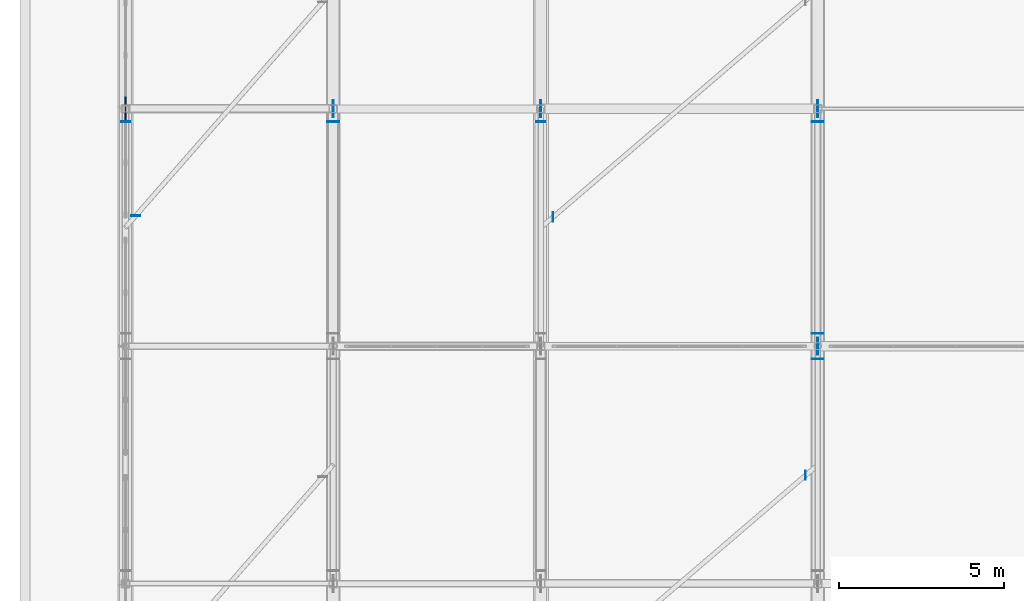
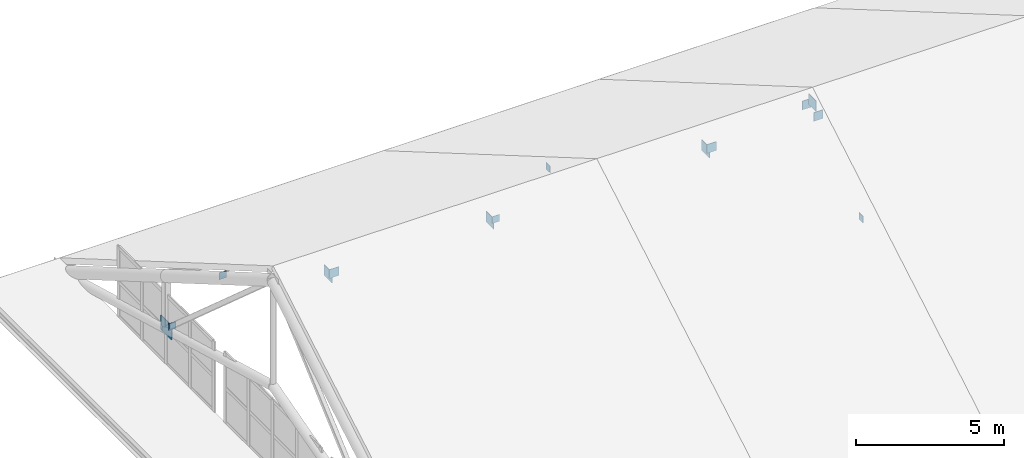
# One storey, part 42 of 54: 14 plates.
"""IFC4 building model written with IfcOpenShell, lengths in metres."""

import ifcopenshell
import ifcopenshell.guid

model = None  # the IFC model being written
_history = None  # IfcOwnerHistory: only IFC2X3 demands one
_inside = {}  # id of a spatial element -> (the spatial element, [elements in it])
_under = {}  # id of a project, library or spatial element -> (it, [spatial elements below it])
_declared = {}  # id of a project -> (the project, [libraries it declares])
_typed = {}  # id of a type object -> (the type object, [elements of that type])
_made_of = {}  # id of a material, layer set ... -> (it, [elements and type objects made of it])


def new_model(schema):
    """Start an empty IFC model of exactly this schema.

    Asked for "IFC4X3", IfcOpenShell would pick the latest addendum, in which some entities
    have other attributes; the version numbers below select the first issue.
    IFC2X3 requires an IfcOwnerHistory on every rooted entity: one is made here for all.
    """
    global model, _history
    if schema == "IFC4X3":
        model = ifcopenshell.file(schema_version=(4, 3, 0, 0))
    else:
        model = ifcopenshell.file(schema=schema)
    _inside.clear()
    _under.clear()
    _declared.clear()
    _typed.clear()
    _made_of.clear()
    _history = None
    if model.schema == "IFC2X3":
        org = make("IfcOrganization", Name="unknown")
        user = make(
            "IfcPersonAndOrganization",
            ThePerson=make("IfcPerson", FamilyName="unknown"),
            TheOrganization=org,
        )
        app = make(
            "IfcApplication",
            ApplicationDeveloper=org,
            Version="unknown",
            ApplicationFullName="unknown",
            ApplicationIdentifier="unknown",
        )
        _history = make(
            "IfcOwnerHistory",
            OwningUser=user,
            OwningApplication=app,
            ChangeAction="ADDED",
            CreationDate=0,
        )
    return model


def make(cls, **values):
    """One entity of the class cls with the attributes given. An attribute that is None is left unset."""
    return model.create_entity(
        cls, **{name: value for name, value in values.items() if value is not None}
    )


def rooted(cls, **values):
    """An entity with a GlobalId (a new one), such as an element, a storey or a relation."""
    return make(cls, GlobalId=ifcopenshell.guid.new(), OwnerHistory=_history, **values)


def si_unit(unit_type, name, prefix=None):
    """IfcSIUnit, for example si_unit("LENGTHUNIT", "METRE", prefix="MILLI")."""
    return make("IfcSIUnit", UnitType=unit_type, Prefix=prefix, Name=name)


def assignment(units):
    """IfcUnitAssignment: the units of a project."""
    return None if units is None else make("IfcUnitAssignment", Units=units)


def point(xyz):
    """IfcCartesianPoint."""
    return None if xyz is None else make("IfcCartesianPoint", Coordinates=xyz)


def direction(xyz):
    """IfcDirection."""
    return None if xyz is None else make("IfcDirection", DirectionRatios=xyz)


def frame(location, z_axis=None, x_axis=None):
    """IfcAxis2Placement3D, a coordinate frame: its origin and axes. An axis left out is left unset."""
    return make(
        "IfcAxis2Placement3D",
        Location=point(location),
        Axis=direction(z_axis),
        RefDirection=direction(x_axis),
    )


def frame_2d(location, x_axis=None):
    """IfcAxis2Placement2D, a coordinate frame in the plane: its origin and x axis."""
    return make(
        "IfcAxis2Placement2D", Location=point(location), RefDirection=direction(x_axis)
    )


def origin():
    """The frame at (0, 0, 0) with its axes left unset."""
    return frame((0.0, 0.0, 0.0))


def origin_2d():
    """The frame at (0, 0) in the plane with its x axis left unset."""
    return frame_2d((0.0, 0.0))


def place(relative_to, where):
    """IfcLocalPlacement: puts the frame where relative to a parent placement (None: the world)."""
    return make(
        "IfcLocalPlacement", PlacementRelTo=relative_to, RelativePlacement=where
    )


def context(
    kind, dimensions, precision=None, world=None, true_north=None, identifier=None
):
    """IfcGeometricRepresentationContext, for example the 3D "Model" context."""
    return make(
        "IfcGeometricRepresentationContext",
        ContextIdentifier=identifier,
        ContextType=kind,
        CoordinateSpaceDimension=dimensions,
        Precision=precision,
        WorldCoordinateSystem=world,
        TrueNorth=true_north,
    )


def subcontext(parent, identifier, kind, view, scale=None):
    """IfcGeometricRepresentationSubContext, for example "Body" below "Model"."""
    return make(
        "IfcGeometricRepresentationSubContext",
        ContextIdentifier=identifier,
        ContextType=kind,
        ParentContext=parent,
        TargetScale=scale,
        TargetView=view,
    )


def project(units=None, contexts=None):
    """IfcProject with its units and contexts."""
    return rooted(
        "IfcProject",
        Name="project",
        RepresentationContexts=contexts,
        UnitsInContext=assignment(units),
    )


def spatial(cls, under=None, at=None, **own):
    """A site, building, storey or space (cls), placed at a placement, below another one or the project."""
    s = rooted(cls, ObjectPlacement=at, **own)
    if under is not None:
        _under.setdefault(under.id(), (under, []))[1].append(s)
    return s


def profile(cls, at=None, kind="AREA", **sizes):
    """A parametric profile (cls). Its sizes go by their IFC names, for example OverallWidth=200.0."""
    return make(cls, ProfileType=kind, Position=at, **sizes)


def rectangle(**sizes):
    """IfcRectangleProfileDef."""
    return profile("IfcRectangleProfileDef", **sizes)


def extrude(swept, where, along, depth):
    """IfcExtrudedAreaSolid: the profile swept, set in the frame where, extruded along a direction by depth."""
    return make(
        "IfcExtrudedAreaSolid",
        SweptArea=swept,
        Position=where,
        ExtrudedDirection=direction(along),
        Depth=depth,
    )


def shape(context_of_items, identifier, shape_type, items):
    """IfcShapeRepresentation: the items that make up one representation, for example the "Body"."""
    return make(
        "IfcShapeRepresentation",
        ContextOfItems=context_of_items,
        RepresentationIdentifier=identifier,
        RepresentationType=shape_type,
        Items=items,
    )


def material(Name=None, Category=None):
    """IfcMaterial."""
    return make("IfcMaterial", Name=Name, Category=Category)


def layer(
    of_material, thickness, ventilated=None, Name=None, Category=None, Priority=None
):
    """IfcMaterialLayer: one layer of a wall or slab, of a material (None: an air gap)."""
    return make(
        "IfcMaterialLayer",
        Material=of_material,
        LayerThickness=thickness,
        IsVentilated=ventilated,
        Name=Name,
        Category=Category,
        Priority=Priority,
    )


def layer_set(layers, Name=None):
    """IfcMaterialLayerSet."""
    return make("IfcMaterialLayerSet", MaterialLayers=layers, LayerSetName=Name)


def made_of(thing, what):
    """Note that an element or type object is made of a material, layer set ...; save() writes the relation."""
    if what is not None:
        _made_of.setdefault(what.id(), (what, []))[1].append(thing)
    return thing


def type_object(cls, material=None, **own):
    """A type object (cls), such as IfcWallType, which elements share."""
    return made_of(rooted(cls, **own), material)


def element(
    cls,
    number,
    at=None,
    inside=None,
    cuts=None,
    type_object=None,
    material=None,
    context=None,
    identifier="Body",
    shape_type=None,
    held_by="IfcProductDefinitionShape",
    body=None,
    shapes=None,
    **own,
):
    """One element of the class cls, such as IfcWall. Its Tag is "e" and its number.

    at: its placement. inside: the storey or other place that contains it. cuts: it is an
    opening in that element (IfcRelVoidsElement). A single representation is given by context,
    identifier, shape_type and body (its items); several are given by shapes. held_by: the class
    of the entity that holds the representations. save() writes the other relations.
    """
    e = rooted(cls, Tag="e%d" % number, ObjectPlacement=at, **own)
    if body is not None:
        shapes = [shape(context, identifier, shape_type, body)]
    if shapes is not None:
        e.Representation = make(held_by, Representations=shapes)
    if inside is not None:
        _inside.setdefault(inside.id(), (inside, []))[1].append(e)
    if cuts is not None:
        rooted(
            "IfcRelVoidsElement", RelatingBuildingElement=cuts, RelatedOpeningElement=e
        )
    if type_object is not None:
        _typed.setdefault(type_object.id(), (type_object, []))[1].append(e)
    return made_of(e, material)


def aggregate(whole, parts):
    """IfcRelAggregates: a whole, such as a stair, and the parts it consists of."""
    return rooted("IfcRelAggregates", RelatingObject=whole, RelatedObjects=parts)


def save(model, path):
    """Write the relations noted so far, then the file.

    IfcRelAggregates (storeys below a building ...), IfcRelContainedInSpatialStructure (elements
    in a storey), IfcRelDefinesByType, IfcRelAssociatesMaterial and IfcRelDeclares: one each for
    every whole, place, type object, material and project.
    """
    for whole, parts in _under.values():
        aggregate(whole, parts)
    for where, things in _inside.values():
        rooted(
            "IfcRelContainedInSpatialStructure",
            RelatedElements=things,
            RelatingStructure=where,
        )
    for kind, things in _typed.values():
        rooted("IfcRelDefinesByType", RelatedObjects=things, RelatingType=kind)
    for what, things in _made_of.values():
        rooted("IfcRelAssociatesMaterial", RelatedObjects=things, RelatingMaterial=what)
    for by, libraries in _declared.values():
        rooted("IfcRelDeclares", RelatingContext=by, RelatedDefinitions=libraries)
    model.write(path)


model = new_model("IFC4")

# Units and contexts
model_context = context("Model", 3, precision=1e-05, world=origin(), true_north=direction((0.0, 1.0)))
body_context = subcontext(model_context, "Body", "Model", "MODEL_VIEW")
ifc_project = project(units=[si_unit("LENGTHUNIT", "METRE"), si_unit("AREAUNIT", "SQUARE_METRE"), si_unit("VOLUMEUNIT", "CUBIC_METRE"), si_unit("PLANEANGLEUNIT", "RADIAN"), si_unit("MASSUNIT", "GRAM", prefix="KILO")], contexts=[model_context])

# Site, building, storey
site_placement = place(None, origin())
site = spatial("IfcSite", under=ifc_project, at=site_placement, CompositionType="ELEMENT")
building_placement = place(site_placement, origin())
building = spatial("IfcBuilding", under=site, at=building_placement, Name="Zulmaris Art Gallery", CompositionType="ELEMENT")
storey_placement = place(building_placement, frame((0.0, 0.0, 26.39990234375)))
storey = spatial("IfcBuildingStorey", under=building, at=storey_placement, Name="L05", CompositionType="ELEMENT", Elevation=26.39990234375)

# Plates
ifc_material = material(Name="Steel S355J2", Category="steel")
ifc_layer_1 = layer(ifc_material, 0.02001953125)
ifc_layer_set_1 = layer_set([ifc_layer_1], Name="Steel S355J2")
plate_type_1 = type_object("IfcPlateType", Name="PLT-CP01", PredefinedType="USERDEFINED", material=ifc_layer_set_1)
for number, where, z_axis, x_axis, name in (
    (1, (11.39990234375, 42.810546875, 1.65478515625), (0.0, 0.0, 1.0), (1.0, 0.0, 0.0), "Hollow-section end cap plate 76"),
    (2, (24.0, 42.810546875, 1.65478515625), (0.0, 0.0, 1.0), (1.0, 0.0, 0.0), "Hollow-section end cap plate 84"),
    (3, (11.71337890625, 39.958251953125, 5.37109375), (0.0, 0.0, 1.0), (1.0, 0.0, 0.0), "Hollow-section end cap plate 115"),
):
    element("IfcPlate", number, at=place(storey_placement, frame(where, z_axis=z_axis, x_axis=x_axis)), inside=storey, type_object=plate_type_1, Name=name, ObjectType="CAP PLATE", PredefinedType="USERDEFINED", context=body_context, shape_type="SweptSolid", body=[
        extrude(rectangle(XDim=0.280029296875, YDim=0.02001953125, at=origin_2d()), origin(), (0.0, 0.0, 1.0), 0.280029296875),
    ])
for number, where, z_axis, x_axis, name in (
    (4, (32.031005859375, 32.08349609375, 5.3955078125), (0.0, 0.0, 1.0), (1.0, 0.0, 0.0), "Hollow-section end cap plate 118"),
    (5, (24.369140625, 39.91650390625, 5.3955078125), (0.0, 0.0, 1.0), (1.0, 0.0, 0.0), "Hollow-section end cap plate 119"),
):
    element("IfcPlate", number, at=place(storey_placement, frame(where, z_axis=z_axis, x_axis=x_axis)), inside=storey, type_object=plate_type_1, Name=name, ObjectType="CAP PLATE", PredefinedType="USERDEFINED", context=body_context, shape_type="SweptSolid", body=[
        extrude(rectangle(XDim=0.02001953125, YDim=0.280029296875, at=origin_2d()), origin(), (0.0, 0.0, 1.0), 0.280029296875),
    ])
ifc_layer_2 = layer(ifc_material, 0.02197265625)
ifc_layer_set_2 = layer_set([ifc_layer_2], Name="Steel S355J2")
plate_type_2 = type_object("IfcPlateType", Name="PLT-CP02", PredefinedType="USERDEFINED", material=ifc_layer_set_2)
for number, where, z_axis, x_axis, name in (
    (6, (17.699951171875, 42.810546875, 1.61474609375), (0.0, 0.0, 1.0), (1.0, 0.0, 0.0), "Hollow-section end cap plate 80"),
    (7, (32.39990234375, 35.610595703125, 7.29541015625), (0.0, 0.0, 1.0), (1.0, 0.0, 0.0), "Hollow-section end cap plate 86"),
    (8, (32.39990234375, 36.389404296875, 7.29541015625), (0.0, 0.0, 1.0), (1.0, 0.0, 0.0), "Hollow-section end cap plate 87"),
    (9, (32.39990234375, 42.810546875, 1.61474609375), (0.0, 0.0, 1.0), (1.0, 0.0, 0.0), "Hollow-section end cap plate 88"),
):
    element("IfcPlate", number, at=place(storey_placement, frame(where, z_axis=z_axis, x_axis=x_axis)), inside=storey, type_object=plate_type_2, Name=name, ObjectType="CAP PLATE", PredefinedType="USERDEFINED", context=body_context, shape_type="SweptSolid", body=[
        extrude(rectangle(XDim=0.360107421875, YDim=0.02197265625, at=origin_2d()), origin(), (0.0, 0.0, 1.0), 0.360107421875),
    ])
ifc_layer_3 = layer(ifc_material, 0.02392578125)
ifc_layer_set_3 = layer_set([ifc_layer_3], Name="Steel S355J2")
plate_type_3 = type_object("IfcPlateType", Name="PLT-GP01", PredefinedType="USERDEFINED", material=ifc_layer_set_3)
for number, where, z_axis, x_axis, name in (
    (10, (17.699951171875, 43.199951171875, 1.280029296875), (0.0, 0.0, 1.0), (1.0, 0.0, 0.0), "Pitched truss TR-R02 node gusset 4"),
    (11, (24.0, 43.199951171875, 1.280029296875), (0.0, 0.0, 1.0), (1.0, 0.0, 0.0), "Pitched truss TR-R03 node gusset 4"),
    (12, (32.39990234375, 36.0, 7.550048828125), (0.0, 0.0, 1.0), (1.0, 0.0, 0.0), "Pitched truss TR-R04 node gusset 3"),
    (13, (32.39990234375, 43.199951171875, 1.280029296875), (0.0, 0.0, 1.0), (1.0, 0.0, 0.0), "Pitched truss TR-R04 node gusset 4"),
):
    element("IfcPlate", number, at=place(storey_placement, frame(where, z_axis=z_axis, x_axis=x_axis)), inside=storey, type_object=plate_type_3, Name=name, ObjectType="GUSSET PLATE", PredefinedType="USERDEFINED", context=body_context, shape_type="SweptSolid", body=[
        extrude(rectangle(XDim=0.02392578125, YDim=0.52001953125, at=origin_2d()), origin(), (0.0, 0.0, 1.0), 0.43994140625),
    ])
ifc_layer_4 = layer(ifc_material, 0.031982421875)
ifc_layer_set_4 = layer_set([ifc_layer_4], Name="Steel S355J2")
plate_type_4 = type_object("IfcPlateType", Name="PLT-GP03", PredefinedType="USERDEFINED", material=ifc_layer_set_4)
plate_placement = place(storey_placement, frame((11.39990234375, 43.199951171875, 1.199951171875), z_axis=(0.0, 0.0, 1.0), x_axis=(1.0, 0.0, 0.0)))
element("IfcPlate", 14, at=plate_placement, inside=storey, type_object=plate_type_4, Name="Pitched truss TR-R01 node gusset 4", ObjectType="GUSSET PLATE", PredefinedType="USERDEFINED", context=body_context, shape_type="SweptSolid", body=[
    extrude(rectangle(XDim=0.031982421875, YDim=0.739990234375, at=origin_2d()), origin(), (0.0, 0.0, 1.0), 0.60009765625),
])

save(model, "model.ifc")
